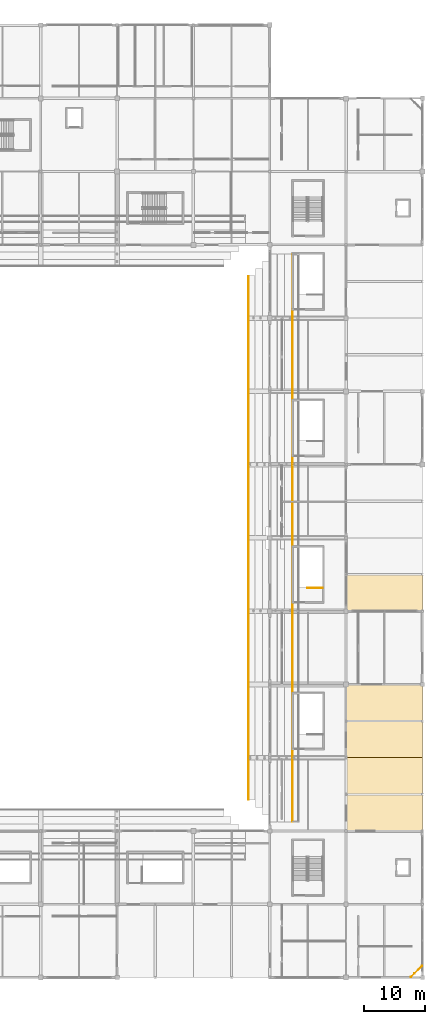
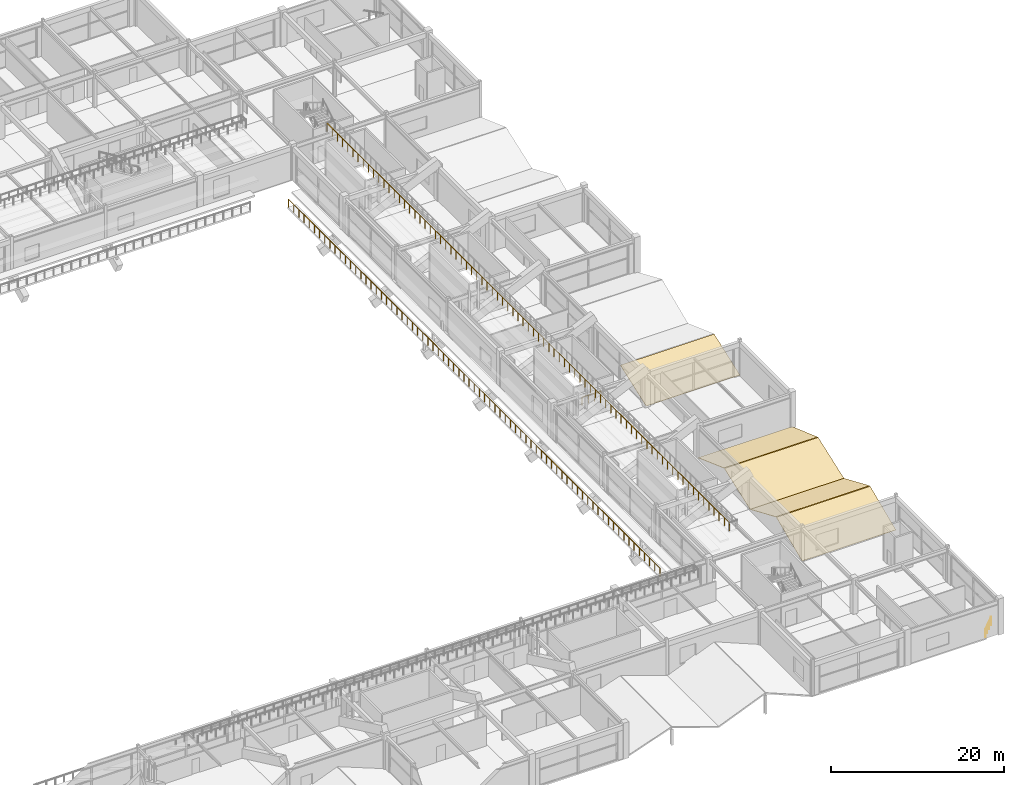
# One storey, part 119 of 128: 5 coverings, 4 railings.
"""IFC4 building model written with IfcOpenShell, lengths in metres."""

from ifc_helpers import new_model, si_unit, direction, frame, origin, origin_2d, place, context, subcontext, project, spatial, polyline, circle, outline, extrude, material, layer, layer_set, type_object, element, save


model = new_model("IFC4")

# Units and contexts
model_context = context("Model", 3, precision=1e-05, world=origin(), true_north=direction((0.0, 1.0)))
body_context = subcontext(model_context, "Body", "Model", "MODEL_VIEW")
ifc_project = project(units=[si_unit("LENGTHUNIT", "METRE"), si_unit("AREAUNIT", "SQUARE_METRE"), si_unit("VOLUMEUNIT", "CUBIC_METRE"), si_unit("PLANEANGLEUNIT", "RADIAN"), si_unit("MASSUNIT", "GRAM", prefix="KILO")], contexts=[model_context])

# Site, building, storey
site_placement = place(None, origin())
site = spatial("IfcSite", under=ifc_project, at=site_placement, CompositionType="ELEMENT")
building_placement = place(site_placement, origin())
building = spatial("IfcBuilding", under=site, at=building_placement, Name="Kazenohara Klinker Stadium", CompositionType="ELEMENT")
storey_placement = place(building_placement, frame((0.0, 0.0, 15.300048828125)))
storey = spatial("IfcBuildingStorey", under=building, at=storey_placement, Name="L03", CompositionType="ELEMENT", Elevation=15.300048828125)

# Coverings
ifc_material_1 = material(Name="Insulated standing-seam copper roofing", Category="metal")
ifc_layer_1 = layer(ifc_material_1, 0.050048828125)
ifc_layer_set_1 = layer_set([ifc_layer_1], Name="Insulated standing-seam copper roofing")
covering_type = type_object("IfcCoveringType", Name="COV-ROOF-01", PredefinedType="ROOFING", material=ifc_layer_set_1)
for number, where, z_axis, x_axis, name in (
    (1, (187.5, 36.0, -0.030029296875), (0.0, -0.39392840207, 0.919141128469), (1.0, 0.0, 0.0), "Standing-seam copper stepped wing roofing L03-A 16/D"),
    (2, (187.5, 42.050048828125, 2.52001953125), (0.0, 0.39392840207, 0.919141128469), (1.0, 0.0, 0.0), "Standing-seam copper stepped wing roofing L03-B 16/D"),
):
    element("IfcCovering", number, at=place(storey_placement, frame(where, z_axis=z_axis, x_axis=x_axis)), inside=storey, type_object=covering_type, Name=name, PredefinedType="ROOFING", context=body_context, shape_type="SweptSolid", body=[
        extrude(outline(polyline([(0.0, 0.0), (12.5, 0.0), (12.5, 6.473381494514159), (0.0, 6.473381494514159), (0.0, 0.0)])), origin(), (0.0, 0.0, -1.0), 0.050048828125),
    ])
for number, where, z_axis, x_axis, name in (
    (3, (187.5, 48.0, -0.030029296875), (0.0, -0.3398274788, 0.940487790805), (1.0, 0.0, 0.0), "Standing-seam copper stepped wing roofing L03-A 16/E"),
    (4, (187.5, 54.050048828125, 2.119873046875), (0.0, 0.3398274788, 0.940487790805), (1.0, 0.0, 0.0), "Standing-seam copper stepped wing roofing L03-B 16/E"),
    (5, (187.5, 72.0, -0.030029296875), (0.0, -0.3398274788, 0.940487790805), (1.0, 0.0, 0.0), "Standing-seam copper stepped wing roofing L03-A 16/G"),
):
    element("IfcCovering", number, at=place(storey_placement, frame(where, z_axis=z_axis, x_axis=x_axis)), inside=storey, type_object=covering_type, Name=name, PredefinedType="ROOFING", context=body_context, shape_type="SweptSolid", body=[
        extrude(outline(polyline([(0.0, 0.0), (12.5, 0.0), (12.5, 6.326452326174476), (0.0, 6.326452326174476), (0.0, 0.0)])), origin(), (0.0, 0.0, -1.0), 0.050048828125),
    ])

# Railings
ifc_material_2 = material(Name="Galvanised powder-coated steel guardrail", Category="steel")
ifc_layer_2 = layer(ifc_material_2, 0.070068359375)
ifc_layer_set_2 = layer_set([ifc_layer_2], Name="Galvanised powder-coated steel guardrail")
railing_type_1 = type_object("IfcRailingType", Name="RL-GRD-1150", PredefinedType="GUARDRAIL", material=ifc_layer_set_2)
railing_1_placement = place(storey_placement, frame((178.719970703125, 37.56005859375, 6.349853515625)))
element("IfcRailing", 6, at=railing_1_placement, inside=storey, type_object=railing_type_1, Name="Spectator stand sightline guardrail TIER-UPPER-E-01-W", PredefinedType="GUARDRAIL", context=body_context, shape_type="SweptSolid", body=[
    extrude(circle(Radius=0.02392578125, at=origin_2d()), frame((0.0, 0.0, 1.1259765625), z_axis=(0.0, 1.0, 0.0), x_axis=(-1.0, 0.0, 0.0)), (0.0, 0.0, 1.0), 92.8798828125),
    extrude(circle(Radius=0.02099609375, at=origin_2d()), origin(), (0.0, 0.0, 1.0), 1.101806640625),
    extrude(circle(Radius=0.02099609375, at=origin_2d()), frame((0.0, 1.190673828125, 0.0)), (0.0, 0.0, 1.0), 1.101806640625),
    extrude(circle(Radius=0.02099609375, at=origin_2d()), frame((0.0, 2.381591796875, 0.0)), (0.0, 0.0, 1.0), 1.101806640625),
    extrude(circle(Radius=0.02099609375, at=origin_2d()), frame((0.0, 3.572265625, 0.0)), (0.0, 0.0, 1.0), 1.101806640625),
    extrude(circle(Radius=0.02099609375, at=origin_2d()), frame((0.0, 4.76318359375, 0.0)), (0.0, 0.0, 1.0), 1.101806640625),
    extrude(circle(Radius=0.02099609375, at=origin_2d()), frame((0.0, 5.953857421875, 0.0)), (0.0, 0.0, 1.0), 1.101806640625),
    extrude(circle(Radius=0.02099609375, at=origin_2d()), frame((0.0, 7.14453125, 0.0)), (0.0, 0.0, 1.0), 1.101806640625),
    extrude(circle(Radius=0.02099609375, at=origin_2d()), frame((0.0, 8.33544921875, 0.0)), (0.0, 0.0, 1.0), 1.101806640625),
    extrude(circle(Radius=0.02099609375, at=origin_2d()), frame((0.0, 9.526123046875, 0.0)), (0.0, 0.0, 1.0), 1.101806640625),
    extrude(circle(Radius=0.02099609375, at=origin_2d()), frame((0.0, 10.716796875, 0.0)), (0.0, 0.0, 1.0), 1.101806640625),
    extrude(circle(Radius=0.02099609375, at=origin_2d()), frame((0.0, 11.90771484375, 0.0)), (0.0, 0.0, 1.0), 1.101806640625),
    extrude(circle(Radius=0.02099609375, at=origin_2d()), frame((0.0, 13.098388671875, 0.0)), (0.0, 0.0, 1.0), 1.101806640625),
    extrude(circle(Radius=0.02099609375, at=origin_2d()), frame((0.0, 14.289306640625, 0.0)), (0.0, 0.0, 1.0), 1.101806640625),
    extrude(circle(Radius=0.02099609375, at=origin_2d()), frame((0.0, 15.47998046875, 0.0)), (0.0, 0.0, 1.0), 1.101806640625),
    extrude(circle(Radius=0.02099609375, at=origin_2d()), frame((0.0, 16.670654296875, 0.0)), (0.0, 0.0, 1.0), 1.101806640625),
    extrude(circle(Radius=0.02099609375, at=origin_2d()), frame((0.0, 17.861572265625, 0.0)), (0.0, 0.0, 1.0), 1.101806640625),
    extrude(circle(Radius=0.02099609375, at=origin_2d()), frame((0.0, 19.05224609375, 0.0)), (0.0, 0.0, 1.0), 1.101806640625),
    extrude(circle(Radius=0.02099609375, at=origin_2d()), frame((0.0, 20.2431640625, 0.0)), (0.0, 0.0, 1.0), 1.101806640625),
    extrude(circle(Radius=0.02099609375, at=origin_2d()), frame((0.0, 21.433837890625, 0.0)), (0.0, 0.0, 1.0), 1.101806640625),
    extrude(circle(Radius=0.02099609375, at=origin_2d()), frame((0.0, 22.62451171875, 0.0)), (0.0, 0.0, 1.0), 1.101806640625),
    extrude(circle(Radius=0.02099609375, at=origin_2d()), frame((0.0, 23.8154296875, 0.0)), (0.0, 0.0, 1.0), 1.101806640625),
    extrude(circle(Radius=0.02099609375, at=origin_2d()), frame((0.0, 25.006103515625, 0.0)), (0.0, 0.0, 1.0), 1.101806640625),
    extrude(circle(Radius=0.02099609375, at=origin_2d()), frame((0.0, 26.19677734375, 0.0)), (0.0, 0.0, 1.0), 1.101806640625),
    extrude(circle(Radius=0.02099609375, at=origin_2d()), frame((0.0, 27.3876953125, 0.0)), (0.0, 0.0, 1.0), 1.101806640625),
    extrude(circle(Radius=0.02099609375, at=origin_2d()), frame((0.0, 28.578369140625, 0.0)), (0.0, 0.0, 1.0), 1.101806640625),
    extrude(circle(Radius=0.02099609375, at=origin_2d()), frame((0.0, 29.769287109375, 0.0)), (0.0, 0.0, 1.0), 1.101806640625),
    extrude(circle(Radius=0.02099609375, at=origin_2d()), frame((0.0, 30.9599609375, 0.0)), (0.0, 0.0, 1.0), 1.101806640625),
    extrude(circle(Radius=0.02099609375, at=origin_2d()), frame((0.0, 32.150634765625, 0.0)), (0.0, 0.0, 1.0), 1.101806640625),
    extrude(circle(Radius=0.02099609375, at=origin_2d()), frame((0.0, 33.341552734375, 0.0)), (0.0, 0.0, 1.0), 1.101806640625),
    extrude(circle(Radius=0.02099609375, at=origin_2d()), frame((0.0, 34.5322265625, 0.0)), (0.0, 0.0, 1.0), 1.101806640625),
    extrude(circle(Radius=0.02099609375, at=origin_2d()), frame((0.0, 35.72314453125, 0.0)), (0.0, 0.0, 1.0), 1.101806640625),
    extrude(circle(Radius=0.02099609375, at=origin_2d()), frame((0.0, 36.913818359375, 0.0)), (0.0, 0.0, 1.0), 1.101806640625),
    extrude(circle(Radius=0.02099609375, at=origin_2d()), frame((0.0, 38.1044921875, 0.0)), (0.0, 0.0, 1.0), 1.101806640625),
    extrude(circle(Radius=0.02099609375, at=origin_2d()), frame((0.0, 39.29541015625, 0.0)), (0.0, 0.0, 1.0), 1.101806640625),
    extrude(circle(Radius=0.02099609375, at=origin_2d()), frame((0.0, 40.486083984375, 0.0)), (0.0, 0.0, 1.0), 1.101806640625),
    extrude(circle(Radius=0.02099609375, at=origin_2d()), frame((0.0, 41.6767578125, 0.0)), (0.0, 0.0, 1.0), 1.101806640625),
    extrude(circle(Radius=0.02099609375, at=origin_2d()), frame((0.0, 42.86767578125, 0.0)), (0.0, 0.0, 1.0), 1.101806640625),
    extrude(circle(Radius=0.02099609375, at=origin_2d()), frame((0.0, 44.058349609375, 0.0)), (0.0, 0.0, 1.0), 1.101806640625),
    extrude(circle(Radius=0.02099609375, at=origin_2d()), frame((0.0, 45.249267578125, 0.0)), (0.0, 0.0, 1.0), 1.101806640625),
    extrude(circle(Radius=0.02099609375, at=origin_2d()), frame((0.0, 46.43994140625, 0.0)), (0.0, 0.0, 1.0), 1.101806640625),
    extrude(circle(Radius=0.02099609375, at=origin_2d()), frame((0.0, 47.630615234375, 0.0)), (0.0, 0.0, 1.0), 1.101806640625),
    extrude(circle(Radius=0.02099609375, at=origin_2d()), frame((0.0, 48.821533203125, 0.0)), (0.0, 0.0, 1.0), 1.101806640625),
    extrude(circle(Radius=0.02099609375, at=origin_2d()), frame((0.0, 50.01220703125, 0.0)), (0.0, 0.0, 1.0), 1.101806640625),
    extrude(circle(Radius=0.02099609375, at=origin_2d()), frame((0.0, 51.203125, 0.0)), (0.0, 0.0, 1.0), 1.101806640625),
    extrude(circle(Radius=0.02099609375, at=origin_2d()), frame((0.0, 52.393798828125, 0.0)), (0.0, 0.0, 1.0), 1.101806640625),
    extrude(circle(Radius=0.02099609375, at=origin_2d()), frame((0.0, 53.58447265625, 0.0)), (0.0, 0.0, 1.0), 1.101806640625),
    extrude(circle(Radius=0.02099609375, at=origin_2d()), frame((0.0, 54.775390625, 0.0)), (0.0, 0.0, 1.0), 1.101806640625),
    extrude(circle(Radius=0.02099609375, at=origin_2d()), frame((0.0, 55.966064453125, 0.0)), (0.0, 0.0, 1.0), 1.101806640625),
    extrude(circle(Radius=0.02099609375, at=origin_2d()), frame((0.0, 57.15673828125, 0.0)), (0.0, 0.0, 1.0), 1.101806640625),
    extrude(circle(Radius=0.02099609375, at=origin_2d()), frame((0.0, 58.34765625, 0.0)), (0.0, 0.0, 1.0), 1.101806640625),
    extrude(circle(Radius=0.02099609375, at=origin_2d()), frame((0.0, 59.538330078125, 0.0)), (0.0, 0.0, 1.0), 1.101806640625),
    extrude(circle(Radius=0.02099609375, at=origin_2d()), frame((0.0, 60.729248046875, 0.0)), (0.0, 0.0, 1.0), 1.101806640625),
    extrude(circle(Radius=0.02099609375, at=origin_2d()), frame((0.0, 61.919921875, 0.0)), (0.0, 0.0, 1.0), 1.101806640625),
    extrude(circle(Radius=0.02099609375, at=origin_2d()), frame((0.0, 63.110595703125, 0.0)), (0.0, 0.0, 1.0), 1.101806640625),
    extrude(circle(Radius=0.02099609375, at=origin_2d()), frame((0.0, 64.301513671875, 0.0)), (0.0, 0.0, 1.0), 1.101806640625),
    extrude(circle(Radius=0.02099609375, at=origin_2d()), frame((0.0, 65.4921875, 0.0)), (0.0, 0.0, 1.0), 1.101806640625),
    extrude(circle(Radius=0.02099609375, at=origin_2d()), frame((0.0, 66.68310546875, 0.0)), (0.0, 0.0, 1.0), 1.101806640625),
    extrude(circle(Radius=0.02099609375, at=origin_2d()), frame((0.0, 67.873779296875, 0.0)), (0.0, 0.0, 1.0), 1.101806640625),
    extrude(circle(Radius=0.02099609375, at=origin_2d()), frame((0.0, 69.064453125, 0.0)), (0.0, 0.0, 1.0), 1.101806640625),
    extrude(circle(Radius=0.02099609375, at=origin_2d()), frame((0.0, 70.25537109375, 0.0)), (0.0, 0.0, 1.0), 1.101806640625),
    extrude(circle(Radius=0.02099609375, at=origin_2d()), frame((0.0, 71.446044921875, 0.0)), (0.0, 0.0, 1.0), 1.101806640625),
    extrude(circle(Radius=0.02099609375, at=origin_2d()), frame((0.0, 72.63671875, 0.0)), (0.0, 0.0, 1.0), 1.101806640625),
    extrude(circle(Radius=0.02099609375, at=origin_2d()), frame((0.0, 73.82763671875, 0.0)), (0.0, 0.0, 1.0), 1.101806640625),
    extrude(circle(Radius=0.02099609375, at=origin_2d()), frame((0.0, 75.018310546875, 0.0)), (0.0, 0.0, 1.0), 1.101806640625),
    extrude(circle(Radius=0.02099609375, at=origin_2d()), frame((0.0, 76.209228515625, 0.0)), (0.0, 0.0, 1.0), 1.101806640625),
    extrude(circle(Radius=0.02099609375, at=origin_2d()), frame((0.0, 77.39990234375, 0.0)), (0.0, 0.0, 1.0), 1.101806640625),
    extrude(circle(Radius=0.02099609375, at=origin_2d()), frame((0.0, 78.590576171875, 0.0)), (0.0, 0.0, 1.0), 1.101806640625),
    extrude(circle(Radius=0.02099609375, at=origin_2d()), frame((0.0, 79.781494140625, 0.0)), (0.0, 0.0, 1.0), 1.101806640625),
    extrude(circle(Radius=0.02099609375, at=origin_2d()), frame((0.0, 80.97216796875, 0.0)), (0.0, 0.0, 1.0), 1.101806640625),
    extrude(circle(Radius=0.02099609375, at=origin_2d()), frame((0.0, 82.1630859375, 0.0)), (0.0, 0.0, 1.0), 1.101806640625),
    extrude(circle(Radius=0.02099609375, at=origin_2d()), frame((0.0, 83.353759765625, 0.0)), (0.0, 0.0, 1.0), 1.101806640625),
    extrude(circle(Radius=0.02099609375, at=origin_2d()), frame((0.0, 84.54443359375, 0.0)), (0.0, 0.0, 1.0), 1.101806640625),
    extrude(circle(Radius=0.02099609375, at=origin_2d()), frame((0.0, 85.7353515625, 0.0)), (0.0, 0.0, 1.0), 1.101806640625),
    extrude(circle(Radius=0.02099609375, at=origin_2d()), frame((0.0, 86.926025390625, 0.0)), (0.0, 0.0, 1.0), 1.101806640625),
    extrude(circle(Radius=0.02099609375, at=origin_2d()), frame((0.0, 88.11669921875, 0.0)), (0.0, 0.0, 1.0), 1.101806640625),
    extrude(circle(Radius=0.02099609375, at=origin_2d()), frame((0.0, 89.3076171875, 0.0)), (0.0, 0.0, 1.0), 1.101806640625),
    extrude(circle(Radius=0.02099609375, at=origin_2d()), frame((0.0, 90.498291015625, 0.0)), (0.0, 0.0, 1.0), 1.101806640625),
    extrude(circle(Radius=0.02099609375, at=origin_2d()), frame((0.0, 91.689208984375, 0.0)), (0.0, 0.0, 1.0), 1.101806640625),
    extrude(circle(Radius=0.02099609375, at=origin_2d()), frame((0.0, 92.8798828125, 0.0)), (0.0, 0.0, 1.0), 1.101806640625),
])
railing_2_placement = place(storey_placement, frame((171.52001953125, 41.139892578125, 0.300048828125)))
element("IfcRailing", 7, at=railing_2_placement, inside=storey, type_object=railing_type_1, Name="Spectator stand sightline guardrail TIER-UPPER-E-07", PredefinedType="GUARDRAIL", context=body_context, shape_type="SweptSolid", body=[
    extrude(circle(Radius=0.02392578125, at=origin_2d()), frame((0.0, 0.0, 1.1259765625), z_axis=(0.0, 1.0, 0.0), x_axis=(-1.0, 0.0, 0.0)), (0.0, 0.0, 1.0), 85.72021484375),
    extrude(circle(Radius=0.02099609375, at=origin_2d()), origin(), (0.0, 0.0, 1.0), 1.101806640625),
    extrude(circle(Radius=0.02099609375, at=origin_2d()), frame((0.0, 1.190673828125, 0.0)), (0.0, 0.0, 1.0), 1.101806640625),
    extrude(circle(Radius=0.02099609375, at=origin_2d()), frame((0.0, 2.381103515625, 0.0)), (0.0, 0.0, 1.0), 1.101806640625),
    extrude(circle(Radius=0.02099609375, at=origin_2d()), frame((0.0, 3.57177734375, 0.0)), (0.0, 0.0, 1.0), 1.101806640625),
    extrude(circle(Radius=0.02099609375, at=origin_2d()), frame((0.0, 4.76220703125, 0.0)), (0.0, 0.0, 1.0), 1.101806640625),
    extrude(circle(Radius=0.02099609375, at=origin_2d()), frame((0.0, 5.952880859375, 0.0)), (0.0, 0.0, 1.0), 1.101806640625),
    extrude(circle(Radius=0.02099609375, at=origin_2d()), frame((0.0, 7.143310546875, 0.0)), (0.0, 0.0, 1.0), 1.101806640625),
    extrude(circle(Radius=0.02099609375, at=origin_2d()), frame((0.0, 8.333984375, 0.0)), (0.0, 0.0, 1.0), 1.101806640625),
    extrude(circle(Radius=0.02099609375, at=origin_2d()), frame((0.0, 9.5244140625, 0.0)), (0.0, 0.0, 1.0), 1.101806640625),
    extrude(circle(Radius=0.02099609375, at=origin_2d()), frame((0.0, 10.715087890625, 0.0)), (0.0, 0.0, 1.0), 1.101806640625),
    extrude(circle(Radius=0.02099609375, at=origin_2d()), frame((0.0, 11.905517578125, 0.0)), (0.0, 0.0, 1.0), 1.101806640625),
    extrude(circle(Radius=0.02099609375, at=origin_2d()), frame((0.0, 13.09619140625, 0.0)), (0.0, 0.0, 1.0), 1.101806640625),
    extrude(circle(Radius=0.02099609375, at=origin_2d()), frame((0.0, 14.28662109375, 0.0)), (0.0, 0.0, 1.0), 1.101806640625),
    extrude(circle(Radius=0.02099609375, at=origin_2d()), frame((0.0, 15.477294921875, 0.0)), (0.0, 0.0, 1.0), 1.101806640625),
    extrude(circle(Radius=0.02099609375, at=origin_2d()), frame((0.0, 16.667724609375, 0.0)), (0.0, 0.0, 1.0), 1.101806640625),
    extrude(circle(Radius=0.02099609375, at=origin_2d()), frame((0.0, 17.8583984375, 0.0)), (0.0, 0.0, 1.0), 1.101806640625),
    extrude(circle(Radius=0.02099609375, at=origin_2d()), frame((0.0, 19.048828125, 0.0)), (0.0, 0.0, 1.0), 1.101806640625),
    extrude(circle(Radius=0.02099609375, at=origin_2d()), frame((0.0, 20.239501953125, 0.0)), (0.0, 0.0, 1.0), 1.101806640625),
    extrude(circle(Radius=0.02099609375, at=origin_2d()), frame((0.0, 21.43017578125, 0.0)), (0.0, 0.0, 1.0), 1.101806640625),
    extrude(circle(Radius=0.02099609375, at=origin_2d()), frame((0.0, 22.62060546875, 0.0)), (0.0, 0.0, 1.0), 1.101806640625),
    extrude(circle(Radius=0.02099609375, at=origin_2d()), frame((0.0, 23.811279296875, 0.0)), (0.0, 0.0, 1.0), 1.101806640625),
    extrude(circle(Radius=0.02099609375, at=origin_2d()), frame((0.0, 25.001708984375, 0.0)), (0.0, 0.0, 1.0), 1.101806640625),
    extrude(circle(Radius=0.02099609375, at=origin_2d()), frame((0.0, 26.1923828125, 0.0)), (0.0, 0.0, 1.0), 1.101806640625),
    extrude(circle(Radius=0.02099609375, at=origin_2d()), frame((0.0, 27.3828125, 0.0)), (0.0, 0.0, 1.0), 1.101806640625),
    extrude(circle(Radius=0.02099609375, at=origin_2d()), frame((0.0, 28.573486328125, 0.0)), (0.0, 0.0, 1.0), 1.101806640625),
    extrude(circle(Radius=0.02099609375, at=origin_2d()), frame((0.0, 29.763916015625, 0.0)), (0.0, 0.0, 1.0), 1.101806640625),
    extrude(circle(Radius=0.02099609375, at=origin_2d()), frame((0.0, 30.95458984375, 0.0)), (0.0, 0.0, 1.0), 1.101806640625),
    extrude(circle(Radius=0.02099609375, at=origin_2d()), frame((0.0, 32.14501953125, 0.0)), (0.0, 0.0, 1.0), 1.101806640625),
    extrude(circle(Radius=0.02099609375, at=origin_2d()), frame((0.0, 33.335693359375, 0.0)), (0.0, 0.0, 1.0), 1.101806640625),
    extrude(circle(Radius=0.02099609375, at=origin_2d()), frame((0.0, 34.526123046875, 0.0)), (0.0, 0.0, 1.0), 1.101806640625),
    extrude(circle(Radius=0.02099609375, at=origin_2d()), frame((0.0, 35.716796875, 0.0)), (0.0, 0.0, 1.0), 1.101806640625),
    extrude(circle(Radius=0.02099609375, at=origin_2d()), frame((0.0, 36.9072265625, 0.0)), (0.0, 0.0, 1.0), 1.101806640625),
    extrude(circle(Radius=0.02099609375, at=origin_2d()), frame((0.0, 38.097900390625, 0.0)), (0.0, 0.0, 1.0), 1.101806640625),
    extrude(circle(Radius=0.02099609375, at=origin_2d()), frame((0.0, 39.288330078125, 0.0)), (0.0, 0.0, 1.0), 1.101806640625),
    extrude(circle(Radius=0.02099609375, at=origin_2d()), frame((0.0, 40.47900390625, 0.0)), (0.0, 0.0, 1.0), 1.101806640625),
    extrude(circle(Radius=0.02099609375, at=origin_2d()), frame((0.0, 41.66943359375, 0.0)), (0.0, 0.0, 1.0), 1.101806640625),
    extrude(circle(Radius=0.02099609375, at=origin_2d()), frame((0.0, 42.860107421875, 0.0)), (0.0, 0.0, 1.0), 1.101806640625),
    extrude(circle(Radius=0.02099609375, at=origin_2d()), frame((0.0, 44.05078125, 0.0)), (0.0, 0.0, 1.0), 1.101806640625),
    extrude(circle(Radius=0.02099609375, at=origin_2d()), frame((0.0, 45.2412109375, 0.0)), (0.0, 0.0, 1.0), 1.101806640625),
    extrude(circle(Radius=0.02099609375, at=origin_2d()), frame((0.0, 46.431884765625, 0.0)), (0.0, 0.0, 1.0), 1.101806640625),
    extrude(circle(Radius=0.02099609375, at=origin_2d()), frame((0.0, 47.622314453125, 0.0)), (0.0, 0.0, 1.0), 1.101806640625),
    extrude(circle(Radius=0.02099609375, at=origin_2d()), frame((0.0, 48.81298828125, 0.0)), (0.0, 0.0, 1.0), 1.101806640625),
    extrude(circle(Radius=0.02099609375, at=origin_2d()), frame((0.0, 50.00341796875, 0.0)), (0.0, 0.0, 1.0), 1.101806640625),
    extrude(circle(Radius=0.02099609375, at=origin_2d()), frame((0.0, 51.194091796875, 0.0)), (0.0, 0.0, 1.0), 1.101806640625),
    extrude(circle(Radius=0.02099609375, at=origin_2d()), frame((0.0, 52.384521484375, 0.0)), (0.0, 0.0, 1.0), 1.101806640625),
    extrude(circle(Radius=0.02099609375, at=origin_2d()), frame((0.0, 53.5751953125, 0.0)), (0.0, 0.0, 1.0), 1.101806640625),
    extrude(circle(Radius=0.02099609375, at=origin_2d()), frame((0.0, 54.765625, 0.0)), (0.0, 0.0, 1.0), 1.101806640625),
    extrude(circle(Radius=0.02099609375, at=origin_2d()), frame((0.0, 55.956298828125, 0.0)), (0.0, 0.0, 1.0), 1.101806640625),
    extrude(circle(Radius=0.02099609375, at=origin_2d()), frame((0.0, 57.146728515625, 0.0)), (0.0, 0.0, 1.0), 1.101806640625),
    extrude(circle(Radius=0.02099609375, at=origin_2d()), frame((0.0, 58.33740234375, 0.0)), (0.0, 0.0, 1.0), 1.101806640625),
    extrude(circle(Radius=0.02099609375, at=origin_2d()), frame((0.0, 59.52783203125, 0.0)), (0.0, 0.0, 1.0), 1.101806640625),
    extrude(circle(Radius=0.02099609375, at=origin_2d()), frame((0.0, 60.718505859375, 0.0)), (0.0, 0.0, 1.0), 1.101806640625),
    extrude(circle(Radius=0.02099609375, at=origin_2d()), frame((0.0, 61.908935546875, 0.0)), (0.0, 0.0, 1.0), 1.101806640625),
    extrude(circle(Radius=0.02099609375, at=origin_2d()), frame((0.0, 63.099609375, 0.0)), (0.0, 0.0, 1.0), 1.101806640625),
    extrude(circle(Radius=0.02099609375, at=origin_2d()), frame((0.0, 64.2900390625, 0.0)), (0.0, 0.0, 1.0), 1.101806640625),
    extrude(circle(Radius=0.02099609375, at=origin_2d()), frame((0.0, 65.480712890625, 0.0)), (0.0, 0.0, 1.0), 1.101806640625),
    extrude(circle(Radius=0.02099609375, at=origin_2d()), frame((0.0, 66.67138671875, 0.0)), (0.0, 0.0, 1.0), 1.101806640625),
    extrude(circle(Radius=0.02099609375, at=origin_2d()), frame((0.0, 67.86181640625, 0.0)), (0.0, 0.0, 1.0), 1.101806640625),
    extrude(circle(Radius=0.02099609375, at=origin_2d()), frame((0.0, 69.052490234375, 0.0)), (0.0, 0.0, 1.0), 1.101806640625),
    extrude(circle(Radius=0.02099609375, at=origin_2d()), frame((0.0, 70.242919921875, 0.0)), (0.0, 0.0, 1.0), 1.101806640625),
    extrude(circle(Radius=0.02099609375, at=origin_2d()), frame((0.0, 71.43359375, 0.0)), (0.0, 0.0, 1.0), 1.101806640625),
    extrude(circle(Radius=0.02099609375, at=origin_2d()), frame((0.0, 72.6240234375, 0.0)), (0.0, 0.0, 1.0), 1.101806640625),
    extrude(circle(Radius=0.02099609375, at=origin_2d()), frame((0.0, 73.814697265625, 0.0)), (0.0, 0.0, 1.0), 1.101806640625),
    extrude(circle(Radius=0.02099609375, at=origin_2d()), frame((0.0, 75.005126953125, 0.0)), (0.0, 0.0, 1.0), 1.101806640625),
    extrude(circle(Radius=0.02099609375, at=origin_2d()), frame((0.0, 76.19580078125, 0.0)), (0.0, 0.0, 1.0), 1.101806640625),
    extrude(circle(Radius=0.02099609375, at=origin_2d()), frame((0.0, 77.38623046875, 0.0)), (0.0, 0.0, 1.0), 1.101806640625),
    extrude(circle(Radius=0.02099609375, at=origin_2d()), frame((0.0, 78.576904296875, 0.0)), (0.0, 0.0, 1.0), 1.101806640625),
    extrude(circle(Radius=0.02099609375, at=origin_2d()), frame((0.0, 79.767333984375, 0.0)), (0.0, 0.0, 1.0), 1.101806640625),
    extrude(circle(Radius=0.02099609375, at=origin_2d()), frame((0.0, 80.9580078125, 0.0)), (0.0, 0.0, 1.0), 1.101806640625),
    extrude(circle(Radius=0.02099609375, at=origin_2d()), frame((0.0, 82.1484375, 0.0)), (0.0, 0.0, 1.0), 1.101806640625),
    extrude(circle(Radius=0.02099609375, at=origin_2d()), frame((0.0, 83.339111328125, 0.0)), (0.0, 0.0, 1.0), 1.101806640625),
    extrude(circle(Radius=0.02099609375, at=origin_2d()), frame((0.0, 84.529541015625, 0.0)), (0.0, 0.0, 1.0), 1.101806640625),
    extrude(circle(Radius=0.02099609375, at=origin_2d()), frame((0.0, 85.72021484375, 0.0)), (0.0, 0.0, 1.0), 1.101806640625),
])
railing_3_placement = place(storey_placement, frame((198.1201171875, 12.080078125, 0.0)))
element("IfcRailing", 8, at=railing_3_placement, inside=storey, type_object=railing_type_1, Name="Corner chamfer slab-edge guardrail GR01-SLB-L03-15-01", PredefinedType="GUARDRAIL", context=body_context, shape_type="SweptSolid", body=[
    extrude(circle(Radius=0.02392578125, at=origin_2d()), frame((0.0, 0.0, 1.1259765625), z_axis=(0.707106781187, 0.707106781187, 0.0), x_axis=(-0.707106781187, 0.707106781187, 0.0)), (0.0, 0.0, 1.0), 2.54541015625),
    extrude(circle(Radius=0.02099609375, at=origin_2d()), origin(), (0.0, 0.0, 1.0), 1.101806640625),
    extrude(circle(Radius=0.02099609375, at=origin_2d()), frame((0.599853515625, 0.599853515625, 0.0)), (0.0, 0.0, 1.0), 1.101806640625),
    extrude(circle(Radius=0.02099609375, at=origin_2d()), frame((1.199951171875, 1.199951171875, 0.0)), (0.0, 0.0, 1.0), 1.101806640625),
    extrude(circle(Radius=0.02099609375, at=origin_2d()), frame((1.7998046875, 1.7998046875, 0.0)), (0.0, 0.0, 1.0), 1.101806640625),
])
ifc_material_3 = material(Name="Painted steel stairwell guardrail", Category="steel")
ifc_layer_3 = layer(ifc_material_3, 0.06005859375)
ifc_layer_set_3 = layer_set([ifc_layer_3], Name="Painted steel stairwell guardrail")
railing_type_2 = type_object("IfcRailingType", Name="RL-STG-1120", PredefinedType="GUARDRAIL", material=ifc_layer_set_3)
railing_4_placement = place(storey_placement, frame((183.659912109375, 75.800048828125, 0.0)))
element("IfcRailing", 9, at=railing_4_placement, inside=storey, type_object=railing_type_2, Name="L03 ST22 top well guard 1", PredefinedType="GUARDRAIL", context=body_context, shape_type="SweptSolid", body=[
    extrude(circle(Radius=0.02392578125, at=origin_2d()), frame((0.0, 0.0, 1.1259765625), z_axis=(-1.0, 0.0, 0.0), x_axis=(0.0, -1.0, 0.0)), (0.0, 0.0, 1.0), 2.510009765625),
    extrude(circle(Radius=0.02099609375, at=origin_2d()), origin(), (0.0, 0.0, 1.0), 1.101806640625),
    extrude(circle(Radius=0.02099609375, at=origin_2d()), frame((-0.836669921875, 0.0, 0.0)), (0.0, 0.0, 1.0), 1.101806640625),
    extrude(circle(Radius=0.02099609375, at=origin_2d()), frame((-1.67333984375, 0.0, 0.0)), (0.0, 0.0, 1.0), 1.101806640625),
    extrude(circle(Radius=0.02099609375, at=origin_2d()), frame((-2.510009765625, 0.0, 0.0)), (0.0, 0.0, 1.0), 1.101806640625),
])

save(model, "model.ifc")
